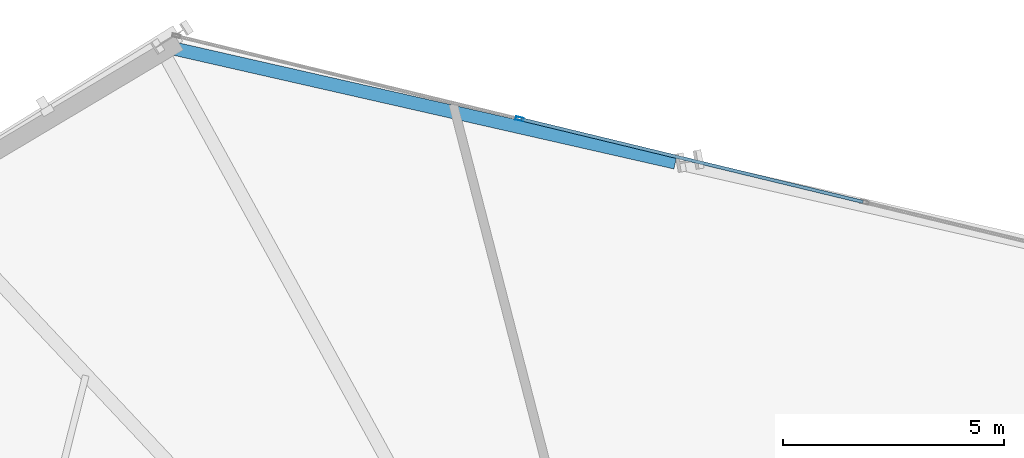
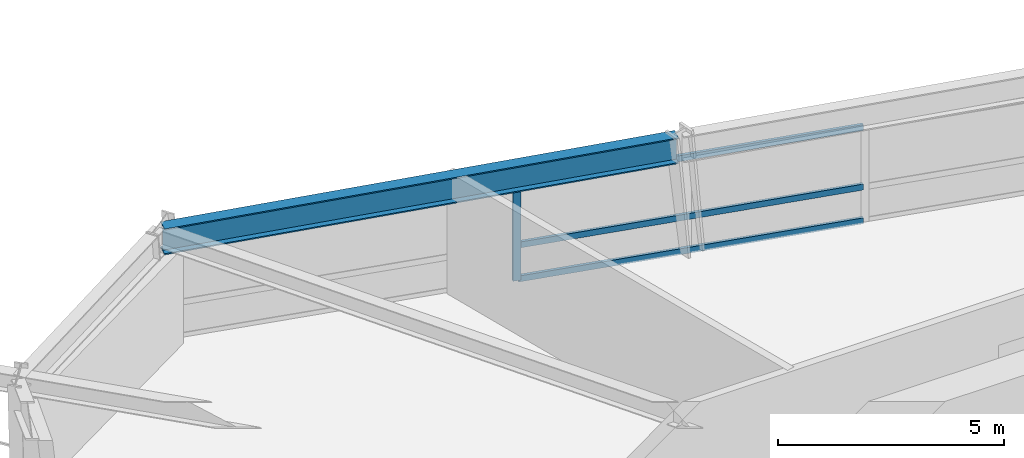
# One storey, part 12 of 24: 4 members, 1 beam, 1 element without a shape of its own.
"""IFC4 building model written with IfcOpenShell, lengths in metres."""

import ifcopenshell
import ifcopenshell.guid

model = None  # the IFC model being written
_history = None  # IfcOwnerHistory: only IFC2X3 demands one
_inside = {}  # id of a spatial element -> (the spatial element, [elements in it])
_under = {}  # id of a project, library or spatial element -> (it, [spatial elements below it])
_declared = {}  # id of a project -> (the project, [libraries it declares])
_typed = {}  # id of a type object -> (the type object, [elements of that type])
_made_of = {}  # id of a material, layer set ... -> (it, [elements and type objects made of it])


def new_model(schema):
    """Start an empty IFC model of exactly this schema.

    Asked for "IFC4X3", IfcOpenShell would pick the latest addendum, in which some entities
    have other attributes; the version numbers below select the first issue.
    IFC2X3 requires an IfcOwnerHistory on every rooted entity: one is made here for all.
    """
    global model, _history
    if schema == "IFC4X3":
        model = ifcopenshell.file(schema_version=(4, 3, 0, 0))
    else:
        model = ifcopenshell.file(schema=schema)
    _inside.clear()
    _under.clear()
    _declared.clear()
    _typed.clear()
    _made_of.clear()
    _history = None
    if model.schema == "IFC2X3":
        org = make("IfcOrganization", Name="unknown")
        user = make(
            "IfcPersonAndOrganization",
            ThePerson=make("IfcPerson", FamilyName="unknown"),
            TheOrganization=org,
        )
        app = make(
            "IfcApplication",
            ApplicationDeveloper=org,
            Version="unknown",
            ApplicationFullName="unknown",
            ApplicationIdentifier="unknown",
        )
        _history = make(
            "IfcOwnerHistory",
            OwningUser=user,
            OwningApplication=app,
            ChangeAction="ADDED",
            CreationDate=0,
        )
    return model


def make(cls, **values):
    """One entity of the class cls with the attributes given. An attribute that is None is left unset."""
    return model.create_entity(
        cls, **{name: value for name, value in values.items() if value is not None}
    )


def rooted(cls, **values):
    """An entity with a GlobalId (a new one), such as an element, a storey or a relation."""
    return make(cls, GlobalId=ifcopenshell.guid.new(), OwnerHistory=_history, **values)


def si_unit(unit_type, name, prefix=None):
    """IfcSIUnit, for example si_unit("LENGTHUNIT", "METRE", prefix="MILLI")."""
    return make("IfcSIUnit", UnitType=unit_type, Prefix=prefix, Name=name)


def assignment(units):
    """IfcUnitAssignment: the units of a project."""
    return None if units is None else make("IfcUnitAssignment", Units=units)


def point(xyz):
    """IfcCartesianPoint."""
    return None if xyz is None else make("IfcCartesianPoint", Coordinates=xyz)


def direction(xyz):
    """IfcDirection."""
    return None if xyz is None else make("IfcDirection", DirectionRatios=xyz)


def frame(location, z_axis=None, x_axis=None):
    """IfcAxis2Placement3D, a coordinate frame: its origin and axes. An axis left out is left unset."""
    return make(
        "IfcAxis2Placement3D",
        Location=point(location),
        Axis=direction(z_axis),
        RefDirection=direction(x_axis),
    )


def frame_2d(location, x_axis=None):
    """IfcAxis2Placement2D, a coordinate frame in the plane: its origin and x axis."""
    return make(
        "IfcAxis2Placement2D", Location=point(location), RefDirection=direction(x_axis)
    )


def origin():
    """The frame at (0, 0, 0) with its axes left unset."""
    return frame((0.0, 0.0, 0.0))


def origin_2d():
    """The frame at (0, 0) in the plane with its x axis left unset."""
    return frame_2d((0.0, 0.0))


def place(relative_to, where):
    """IfcLocalPlacement: puts the frame where relative to a parent placement (None: the world)."""
    return make(
        "IfcLocalPlacement", PlacementRelTo=relative_to, RelativePlacement=where
    )


def context(
    kind, dimensions, precision=None, world=None, true_north=None, identifier=None
):
    """IfcGeometricRepresentationContext, for example the 3D "Model" context."""
    return make(
        "IfcGeometricRepresentationContext",
        ContextIdentifier=identifier,
        ContextType=kind,
        CoordinateSpaceDimension=dimensions,
        Precision=precision,
        WorldCoordinateSystem=world,
        TrueNorth=true_north,
    )


def subcontext(parent, identifier, kind, view, scale=None):
    """IfcGeometricRepresentationSubContext, for example "Body" below "Model"."""
    return make(
        "IfcGeometricRepresentationSubContext",
        ContextIdentifier=identifier,
        ContextType=kind,
        ParentContext=parent,
        TargetScale=scale,
        TargetView=view,
    )


def project(units=None, contexts=None):
    """IfcProject with its units and contexts."""
    return rooted(
        "IfcProject",
        Name="project",
        RepresentationContexts=contexts,
        UnitsInContext=assignment(units),
    )


def spatial(cls, under=None, at=None, **own):
    """A site, building, storey or space (cls), placed at a placement, below another one or the project."""
    s = rooted(cls, ObjectPlacement=at, **own)
    if under is not None:
        _under.setdefault(under.id(), (under, []))[1].append(s)
    return s


def profile(cls, at=None, kind="AREA", **sizes):
    """A parametric profile (cls). Its sizes go by their IFC names, for example OverallWidth=200.0."""
    return make(cls, ProfileType=kind, Position=at, **sizes)


def hollow_rectangle(**sizes):
    """IfcRectangleHollowProfileDef."""
    return profile("IfcRectangleHollowProfileDef", **sizes)


def i_section(**sizes):
    """IfcIShapeProfileDef."""
    return profile("IfcIShapeProfileDef", **sizes)


def extrude(swept, where, along, depth):
    """IfcExtrudedAreaSolid: the profile swept, set in the frame where, extruded along a direction by depth."""
    return make(
        "IfcExtrudedAreaSolid",
        SweptArea=swept,
        Position=where,
        ExtrudedDirection=direction(along),
        Depth=depth,
    )


def shape(context_of_items, identifier, shape_type, items):
    """IfcShapeRepresentation: the items that make up one representation, for example the "Body"."""
    return make(
        "IfcShapeRepresentation",
        ContextOfItems=context_of_items,
        RepresentationIdentifier=identifier,
        RepresentationType=shape_type,
        Items=items,
    )


def source(mapping_origin, context_of_items, identifier, shape_type, items):
    """IfcRepresentationMap: a shape defined once, which mapped items show again and again."""
    return make(
        "IfcRepresentationMap",
        MappingOrigin=mapping_origin,
        MappedRepresentation=shape(context_of_items, identifier, shape_type, items),
    )


def transform(
    local_origin,
    x_axis=None,
    y_axis=None,
    z_axis=None,
    scale=None,
    scale2=None,
    scale3=None,
    uniform=True,
):
    """IfcCartesianTransformationOperator3D, or its non-uniform kind. x_axis, y_axis, z_axis: its Axis1, 2, 3."""
    if uniform:
        return make(
            "IfcCartesianTransformationOperator3D",
            Axis1=direction(x_axis),
            Axis2=direction(y_axis),
            LocalOrigin=point(local_origin),
            Scale=scale,
            Axis3=direction(z_axis),
        )
    return make(
        "IfcCartesianTransformationOperator3DnonUniform",
        Axis1=direction(x_axis),
        Axis2=direction(y_axis),
        LocalOrigin=point(local_origin),
        Scale=scale,
        Axis3=direction(z_axis),
        Scale2=scale2,
        Scale3=scale3,
    )


def mapped(mapping_source, mapping_target):
    """IfcMappedItem: shows the shape of a source again, moved by a transform."""
    return make(
        "IfcMappedItem", MappingSource=mapping_source, MappingTarget=mapping_target
    )


def material(Name=None, Category=None):
    """IfcMaterial."""
    return make("IfcMaterial", Name=Name, Category=Category)


def material_profile(
    of_material, cross_section, Name=None, Category=None, Priority=None
):
    """IfcMaterialProfile: a cross section and its material."""
    return make(
        "IfcMaterialProfile",
        Name=Name,
        Material=of_material,
        Profile=cross_section,
        Priority=Priority,
        Category=Category,
    )


def profile_set(profiles, Name=None, composite=None):
    """IfcMaterialProfileSet."""
    return make(
        "IfcMaterialProfileSet",
        Name=Name,
        MaterialProfiles=profiles,
        CompositeProfile=composite,
    )


def made_of(thing, what):
    """Note that an element or type object is made of a material, layer set ...; save() writes the relation."""
    if what is not None:
        _made_of.setdefault(what.id(), (what, []))[1].append(thing)
    return thing


def type_object(cls, material=None, **own):
    """A type object (cls), such as IfcWallType, which elements share."""
    return made_of(rooted(cls, **own), material)


def element(
    cls,
    number,
    at=None,
    inside=None,
    cuts=None,
    type_object=None,
    material=None,
    context=None,
    identifier="Body",
    shape_type=None,
    held_by="IfcProductDefinitionShape",
    body=None,
    shapes=None,
    **own,
):
    """One element of the class cls, such as IfcWall. Its Tag is "e" and its number.

    at: its placement. inside: the storey or other place that contains it. cuts: it is an
    opening in that element (IfcRelVoidsElement). A single representation is given by context,
    identifier, shape_type and body (its items); several are given by shapes. held_by: the class
    of the entity that holds the representations. save() writes the other relations.
    """
    e = rooted(cls, Tag="e%d" % number, ObjectPlacement=at, **own)
    if body is not None:
        shapes = [shape(context, identifier, shape_type, body)]
    if shapes is not None:
        e.Representation = make(held_by, Representations=shapes)
    if inside is not None:
        _inside.setdefault(inside.id(), (inside, []))[1].append(e)
    if cuts is not None:
        rooted(
            "IfcRelVoidsElement", RelatingBuildingElement=cuts, RelatedOpeningElement=e
        )
    if type_object is not None:
        _typed.setdefault(type_object.id(), (type_object, []))[1].append(e)
    return made_of(e, material)


def aggregate(whole, parts):
    """IfcRelAggregates: a whole, such as a stair, and the parts it consists of."""
    return rooted("IfcRelAggregates", RelatingObject=whole, RelatedObjects=parts)


def save(model, path):
    """Write the relations noted so far, then the file.

    IfcRelAggregates (storeys below a building ...), IfcRelContainedInSpatialStructure (elements
    in a storey), IfcRelDefinesByType, IfcRelAssociatesMaterial and IfcRelDeclares: one each for
    every whole, place, type object, material and project.
    """
    for whole, parts in _under.values():
        aggregate(whole, parts)
    for where, things in _inside.values():
        rooted(
            "IfcRelContainedInSpatialStructure",
            RelatedElements=things,
            RelatingStructure=where,
        )
    for kind, things in _typed.values():
        rooted("IfcRelDefinesByType", RelatedObjects=things, RelatingType=kind)
    for what, things in _made_of.values():
        rooted("IfcRelAssociatesMaterial", RelatedObjects=things, RelatingMaterial=what)
    for by, libraries in _declared.values():
        rooted("IfcRelDeclares", RelatingContext=by, RelatedDefinitions=libraries)
    model.write(path)


model = new_model("IFC4")

# Units and contexts
model_context = context("Model", 3, precision=1e-05, world=origin(), true_north=direction((0.0, 1.0)))
body_context = subcontext(model_context, "Body", "Model", "MODEL_VIEW")
ifc_project = project(units=[si_unit("LENGTHUNIT", "METRE"), si_unit("AREAUNIT", "SQUARE_METRE"), si_unit("VOLUMEUNIT", "CUBIC_METRE"), si_unit("PLANEANGLEUNIT", "RADIAN"), si_unit("MASSUNIT", "GRAM", prefix="KILO")], contexts=[model_context])

# Site, building, storey
site_placement = place(None, origin())
site = spatial("IfcSite", under=ifc_project, at=site_placement, CompositionType="ELEMENT")
building_placement = place(site_placement, origin())
building = spatial("IfcBuilding", under=site, at=building_placement, Name="Olszyna Solenne Hotel", CompositionType="ELEMENT")
storey_placement = place(building_placement, frame((0.0, 0.0, 29.300048828125)))
storey = spatial("IfcBuildingStorey", under=building, at=storey_placement, Name="L06", CompositionType="ELEMENT", Elevation=29.300048828125)

# Beam
ifc_material_1 = material(Name="Steel S355J2", Category="steel")
ifc_material_profile_1 = material_profile(ifc_material_1, i_section(OverallWidth=0.300048828125, OverallDepth=0.699951171875, WebThickness=0.01708984375, FlangeThickness=0.031982421875, at=origin_2d()), Name="HEB 700", Category="load-bearing")
ifc_profile_set_1 = profile_set([ifc_material_profile_1], Name="Steel S355J2")
beam_type = type_object("IfcBeamType", Name="BM-S1", PredefinedType="BEAM", material=ifc_profile_set_1)
shared_shape_1 = source(origin(), body_context, "Body", "SweptSolid", [
    extrude(i_section(OverallWidth=0.300048828125, OverallDepth=0.699951171875, WebThickness=0.01708984375, FlangeThickness=0.031982421875, at=origin_2d()), origin(), (0.0, 0.0, 1.0), 11.89599609375),
])
beam_placement = place(storey_placement, frame((37.779052734375, 45.59130859375, 2.949951171875), z_axis=(-0.975135678146, 0.221608684864, 0.0), x_axis=(-0.221608684864, -0.975135678146, 0.0)))
element("IfcBeam", 1, at=beam_placement, inside=storey, type_object=beam_type, Name="Perimeter spandrel beam BM-S1 B-L06-0204", PredefinedType="BEAM", context=body_context, shape_type="MappedRepresentation", body=[
    mapped(shared_shape_1, transform((0.0, 0.0, 0.0), x_axis=(1.0, 0.0, 0.0), y_axis=(0.0, 1.0, 0.0), z_axis=(0.0, 0.0, 1.0), scale=1.0)),
])

# Curtain wall, members
ifc_material_2 = material(Name="Anodised bronze aluminium", Category="aluminium")
curtain_wall_type = type_object("IfcCurtainWallType", Name="CW-SYS-2", PredefinedType="NOTDEFINED", material=ifc_material_2)
curtain_wall_placement = place(storey_placement, origin())
curtain_wall = element("IfcCurtainWall", 2, at=curtain_wall_placement, inside=storey, type_object=curtain_wall_type, Name="Unitised curtain wall CW-SYS-2 CW-L06-02", PredefinedType="NOTDEFINED")
ifc_material_profile_2 = material_profile(ifc_material_2, hollow_rectangle(XDim=0.074951171875, YDim=0.179931640625, WallThickness=0.00439453125, at=origin_2d()), Name="MULL 180x75x4.5", Category="load-bearing")
ifc_profile_set_2 = profile_set([ifc_material_profile_2], Name="Anodised bronze aluminium")
member_type_1 = type_object("IfcMemberType", Name="CW-M2", PredefinedType="MULLION", material=ifc_profile_set_2)
shared_shape_2 = source(origin(), body_context, "Body", "SweptSolid", [
    extrude(hollow_rectangle(XDim=0.074951171875, YDim=0.179931640625, WallThickness=0.00439453125, at=origin_2d()), origin(), (0.0, 0.0, 1.0), 2.592041015625),
])
member_1_placement = place(storey_placement, frame((34.260986328125, 46.5771484375, 0.0), z_axis=(0.0, 0.0, 1.0), x_axis=(0.235108450794, 0.971969143731, 0.0)))
member_1 = element("IfcMember", 3, at=member_1_placement, type_object=member_type_1, Name="Curtain-wall mullion CW-M2 CM-L06-02-02", PredefinedType="MULLION", context=body_context, shape_type="MappedRepresentation", body=[
    mapped(shared_shape_2, transform((0.0, 0.0, 0.0), x_axis=(1.0, 0.0, 0.0), y_axis=(0.0, 1.0, 0.0), z_axis=(0.0, 0.0, 1.0), scale=1.0)),
])
ifc_material_profile_3 = material_profile(ifc_material_2, hollow_rectangle(XDim=0.074951171875, YDim=0.159912109375, WallThickness=0.00390625, at=origin_2d()), Name="TRAN 160x75x4", Category="load-bearing")
ifc_profile_set_3 = profile_set([ifc_material_profile_3], Name="Anodised bronze aluminium")
member_type_2 = type_object("IfcMemberType", Name="CW-T1", PredefinedType="USERDEFINED", material=ifc_profile_set_3)
shared_shape_3 = source(origin(), body_context, "Body", "SweptSolid", [
    extrude(hollow_rectangle(XDim=0.074951171875, YDim=0.159912109375, WallThickness=0.00390625, at=origin_2d()), origin(), (0.0, 0.0, 1.0), 7.946533203125),
])
member_2_placement = place(storey_placement, frame((34.29736328125, 46.568359375, 0.037353515625), z_axis=(0.971973608698, -0.235089991268, 0.0), x_axis=(0.235089991268, 0.971973608698, 0.0)))
member_2 = element("IfcMember", 4, at=member_2_placement, type_object=member_type_2, Name="Curtain-wall transom CW-T1 CT-L06-02-04", ObjectType="TRANSOM", PredefinedType="USERDEFINED", context=body_context, shape_type="MappedRepresentation", body=[
    mapped(shared_shape_3, transform((0.0, 0.0, 0.0), x_axis=(1.0, 0.0, 0.0), y_axis=(0.0, 1.0, 0.0), z_axis=(0.0, 0.0, 1.0), scale=1.0)),
])
member_3_placement = place(storey_placement, frame((34.29736328125, 46.568359375, 0.949951171875), z_axis=(0.971973608698, -0.235089991268, 0.0), x_axis=(0.235089991268, 0.971973608698, 0.0)))
member_3 = element("IfcMember", 5, at=member_3_placement, type_object=member_type_2, Name="Curtain-wall transom CW-T1 CT-L06-02-05", ObjectType="TRANSOM", PredefinedType="USERDEFINED", context=body_context, shape_type="MappedRepresentation", body=[
    mapped(shared_shape_3, transform((0.0, 0.0, 0.0), x_axis=(1.0, 0.0, 0.0), y_axis=(0.0, 1.0, 0.0), z_axis=(0.0, 0.0, 1.0), scale=1.0)),
])
member_4_placement = place(storey_placement, frame((34.29736328125, 46.568359375, 2.554443359375), z_axis=(0.971973608698, -0.235089991268, 0.0), x_axis=(0.235089991268, 0.971973608698, 0.0)))
member_4 = element("IfcMember", 6, at=member_4_placement, type_object=member_type_2, Name="Curtain-wall transom CW-T1 CT-L06-02-06", ObjectType="TRANSOM", PredefinedType="USERDEFINED", context=body_context, shape_type="MappedRepresentation", body=[
    mapped(shared_shape_3, transform((0.0, 0.0, 0.0), x_axis=(1.0, 0.0, 0.0), y_axis=(0.0, 1.0, 0.0), z_axis=(0.0, 0.0, 1.0), scale=1.0)),
])
aggregate(curtain_wall, [member_1, member_2, member_3, member_4])

save(model, "model.ifc")
